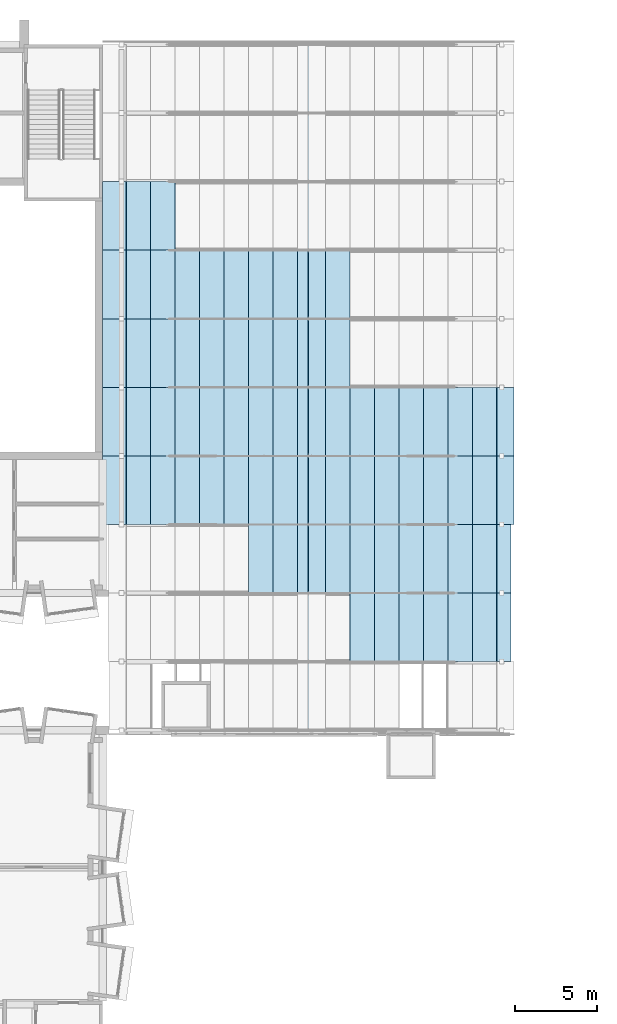
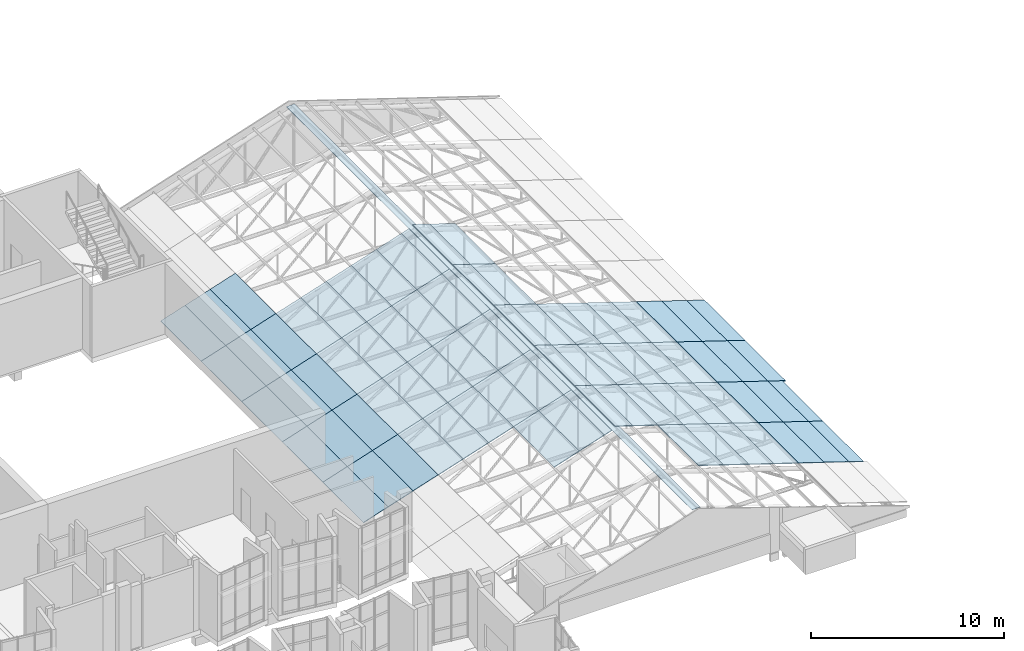
# One storey, part 72 of 95: 81 plates.
"""IFC4 building model written with IfcOpenShell, lengths in metres."""

from ifc_helpers import new_model, si_unit, direction, frame, origin, origin_2d, place, context, subcontext, project, spatial, polyline, rectangle, outline, extrude, material, layer, layer_set, type_object, element, save


model = new_model("IFC4")

# Units and contexts
model_context = context("Model", 3, precision=1e-05, world=origin(), true_north=direction((0.0, 1.0)))
body_context = subcontext(model_context, "Body", "Model", "MODEL_VIEW")
ifc_project = project(units=[si_unit("LENGTHUNIT", "METRE"), si_unit("AREAUNIT", "SQUARE_METRE"), si_unit("VOLUMEUNIT", "CUBIC_METRE"), si_unit("PLANEANGLEUNIT", "RADIAN"), si_unit("MASSUNIT", "GRAM", prefix="KILO")], contexts=[model_context])

# Site, building, storey
site_placement = place(None, origin())
site = spatial("IfcSite", under=ifc_project, at=site_placement, CompositionType="ELEMENT")
building_placement = place(site_placement, origin())
building = spatial("IfcBuilding", under=site, at=building_placement, Name="Kiln Court Media Centre", CompositionType="ELEMENT")
storey_placement = place(building_placement, frame((0.0, 0.0, 24.60009765625)))
storey = spatial("IfcBuildingStorey", under=building, at=storey_placement, Name="L05", CompositionType="ELEMENT", Elevation=24.60009765625)

# Plates
ifc_material_1 = material(Name="Aluminium 6063-T6", Category="aluminium")
ifc_layer_1 = layer(ifc_material_1, 0.02001953125)
ifc_layer_set_1 = layer_set([ifc_layer_1], Name="Aluminium ridge capping plate 20")
plate_type_1 = type_object("IfcPlateType", Name="Aluminium ridge capping plate 20", PredefinedType="SHEET", material=ifc_layer_set_1)
plate_1_placement = place(storey_placement, frame((46.199951171875, 46.199951171875, 4.04931640625), z_axis=(0.0, 0.0, 1.0), x_axis=(1.0, 0.0, 0.0)))
element("IfcPlate", 1, at=plate_1_placement, inside=storey, type_object=plate_type_1, Name="Foyer ridge capping", PredefinedType="SHEET", context=body_context, shape_type="SweptSolid", body=[
    extrude(rectangle(XDim=0.5, YDim=42.0, at=origin_2d()), origin(), (0.0, 0.0, 1.0), 0.02001953125),
])
ifc_material_2 = material(Name="Laminated low-E glazing", Category="glass")
ifc_layer_2 = layer(ifc_material_2, 0.0439453125)
ifc_layer_set_2 = layer_set([ifc_layer_2], Name="Laminated low-E skylight glazing 44")
plate_type_2 = type_object("IfcPlateType", Name="Laminated low-E skylight glazing 44", PredefinedType="USERDEFINED", material=ifc_layer_set_2)
plate_2_placement = place(storey_placement, frame((58.613525390625, 33.60009765625, 0.1484375), z_axis=(0.308945988016, 0.0, 0.951079584729), x_axis=(-0.951079584729, 0.0, 0.308945988016)))
element("IfcPlate", 2, at=plate_2_placement, inside=storey, type_object=plate_type_2, Name="Foyer roof glazing east 1.2", ObjectType="SKYLIGHT GLAZING", PredefinedType="USERDEFINED", context=body_context, shape_type="SweptSolid", body=[
    extrude(outline(polyline([(0.0, 0.0), (0.9064021147298428, 0.0), (0.9064021147298428, 4.2001953125), (0.0, 4.2001953125), (0.0, 0.0)])), origin(), (0.0, 0.0, -1.0), 0.0439453125),
])
plate_3_placement = place(storey_placement, frame((58.613525390625, 37.800048828125, 0.1484375), z_axis=(0.308945988016, 0.0, 0.951079584729), x_axis=(-0.951079584729, 0.0, 0.308945988016)))
element("IfcPlate", 3, at=plate_3_placement, inside=storey, type_object=plate_type_2, Name="Foyer roof glazing east 1.3", ObjectType="SKYLIGHT GLAZING", PredefinedType="USERDEFINED", context=body_context, shape_type="SweptSolid", body=[
    extrude(outline(polyline([(0.0, 0.0), (0.9064021147298428, 0.0), (0.9064021147298428, 4.199951171875), (0.0, 4.199951171875), (0.0, 0.0)])), origin(), (0.0, 0.0, -1.0), 0.0439453125),
])
for number, where, z_axis, x_axis, name in (
    (4, (58.813720703125, 42.0, 0.08349609375), (0.308873525372, 0.0, 0.951103120237), (-0.951103120237, 0.0, 0.308873525372), "Foyer roof glazing east 1.4"),
    (5, (58.813720703125, 46.199951171875, 0.08349609375), (0.308873525372, 0.0, 0.951103120237), (-0.951103120237, 0.0, 0.308873525372), "Foyer roof glazing east 1.5"),
):
    element("IfcPlate", number, at=place(storey_placement, frame(where, z_axis=z_axis, x_axis=x_axis)), inside=storey, type_object=plate_type_2, Name=name, ObjectType="SKYLIGHT GLAZING", PredefinedType="USERDEFINED", context=body_context, shape_type="SweptSolid", body=[
        extrude(outline(polyline([(0.0, 0.0), (1.1168671795657157, 0.0), (1.1168671795657157, 4.199951171875), (0.0, 4.199951171875), (0.0, 0.0)])), origin(), (0.0, 0.0, -1.0), 0.0439453125),
    ])
plate_4_placement = place(storey_placement, frame((57.75146484375, 33.60009765625, 0.428466796875), z_axis=(0.309114072515, 0.0, 0.951024968218), x_axis=(-0.951024968218, 0.0, 0.309114072515)))
element("IfcPlate", 6, at=plate_4_placement, inside=storey, type_object=plate_type_2, Name="Foyer roof glazing east 2.2", ObjectType="SKYLIGHT GLAZING", PredefinedType="USERDEFINED", context=body_context, shape_type="SweptSolid", body=[
    extrude(outline(polyline([(0.0, 0.0), (1.577245656137959, 0.0), (1.577245656137959, 4.200195312500001), (0.0, 4.200195312500001), (0.0, 0.0)])), origin(), (0.0, 0.0, -1.0), 0.0439453125),
])
for number, where, z_axis, x_axis, name in (
    (7, (57.75146484375, 37.800048828125, 0.428466796875), (0.309114072515, 0.0, 0.951024968218), (-0.951024968218, 0.0, 0.309114072515), "Foyer roof glazing east 2.3"),
    (8, (57.75146484375, 42.0, 0.428466796875), (0.309114072515, 0.0, 0.951024968218), (-0.951024968218, 0.0, 0.309114072515), "Foyer roof glazing east 2.4"),
    (9, (57.75146484375, 46.199951171875, 0.428466796875), (0.309114072515, 0.0, 0.951024968218), (-0.951024968218, 0.0, 0.309114072515), "Foyer roof glazing east 2.5"),
):
    element("IfcPlate", number, at=place(storey_placement, frame(where, z_axis=z_axis, x_axis=x_axis)), inside=storey, type_object=plate_type_2, Name=name, ObjectType="SKYLIGHT GLAZING", PredefinedType="USERDEFINED", context=body_context, shape_type="SweptSolid", body=[
        extrude(outline(polyline([(0.0, 0.0), (1.577245656137959, 0.0), (1.577245656137959, 4.199951171875001), (0.0, 4.199951171875001), (0.0, 0.0)])), origin(), (0.0, 0.0, -1.0), 0.0439453125),
    ])
plate_5_placement = place(storey_placement, frame((56.25146484375, 33.60009765625, 0.916015625), z_axis=(0.308974063591, 0.0, 0.951070464281), x_axis=(-0.951070464281, 0.0, 0.308974063591)))
element("IfcPlate", 10, at=plate_5_placement, inside=storey, type_object=plate_type_2, Name="Foyer roof glazing east 3.2", ObjectType="SKYLIGHT GLAZING", PredefinedType="USERDEFINED", context=body_context, shape_type="SweptSolid", body=[
    extrude(outline(polyline([(0.0, 0.0), (1.5771702059256234, 0.0), (1.5771702059256234, 4.2001953125), (0.0, 4.2001953125), (0.0, 0.0)])), origin(), (0.0, 0.0, -1.0), 0.0439453125),
])
for number, where, z_axis, x_axis, name in (
    (11, (56.25146484375, 37.800048828125, 0.916015625), (0.308974063591, 0.0, 0.951070464281), (-0.951070464281, 0.0, 0.308974063591), "Foyer roof glazing east 3.3"),
    (12, (56.25146484375, 42.0, 0.916015625), (0.308974063591, 0.0, 0.951070464281), (-0.951070464281, 0.0, 0.308974063591), "Foyer roof glazing east 3.4"),
    (13, (56.25146484375, 46.199951171875, 0.916015625), (0.308974063591, 0.0, 0.951070464281), (-0.951070464281, 0.0, 0.308974063591), "Foyer roof glazing east 3.5"),
):
    element("IfcPlate", number, at=place(storey_placement, frame(where, z_axis=z_axis, x_axis=x_axis)), inside=storey, type_object=plate_type_2, Name=name, ObjectType="SKYLIGHT GLAZING", PredefinedType="USERDEFINED", context=body_context, shape_type="SweptSolid", body=[
        extrude(outline(polyline([(0.0, 0.0), (1.5771702059256232, 0.0), (1.5771702059256232, 4.199951171875), (0.0, 4.199951171875), (0.0, 0.0)])), origin(), (0.0, 0.0, -1.0), 0.0439453125),
    ])
plate_6_placement = place(storey_placement, frame((54.75146484375, 33.60009765625, 1.4033203125), z_axis=(0.308974063591, 0.0, 0.951070464281), x_axis=(-0.951070464281, 0.0, 0.308974063591)))
element("IfcPlate", 14, at=plate_6_placement, inside=storey, type_object=plate_type_2, Name="Foyer roof glazing east 4.2", ObjectType="SKYLIGHT GLAZING", PredefinedType="USERDEFINED", context=body_context, shape_type="SweptSolid", body=[
    extrude(outline(polyline([(0.0, 0.0), (1.5771702059256234, 0.0), (1.5771702059256234, 4.2001953125), (0.0, 4.2001953125), (0.0, 0.0)])), origin(), (0.0, 0.0, -1.0), 0.0439453125),
])
for number, where, z_axis, x_axis, name in (
    (15, (54.75146484375, 37.800048828125, 1.4033203125), (0.308974063591, 0.0, 0.951070464281), (-0.951070464281, 0.0, 0.308974063591), "Foyer roof glazing east 4.3"),
    (16, (54.75146484375, 42.0, 1.4033203125), (0.308974063591, 0.0, 0.951070464281), (-0.951070464281, 0.0, 0.308974063591), "Foyer roof glazing east 4.4"),
    (17, (54.75146484375, 46.199951171875, 1.4033203125), (0.308974063591, 0.0, 0.951070464281), (-0.951070464281, 0.0, 0.308974063591), "Foyer roof glazing east 4.5"),
):
    element("IfcPlate", number, at=place(storey_placement, frame(where, z_axis=z_axis, x_axis=x_axis)), inside=storey, type_object=plate_type_2, Name=name, ObjectType="SKYLIGHT GLAZING", PredefinedType="USERDEFINED", context=body_context, shape_type="SweptSolid", body=[
        extrude(outline(polyline([(0.0, 0.0), (1.5771702059256232, 0.0), (1.5771702059256232, 4.199951171875), (0.0, 4.199951171875), (0.0, 0.0)])), origin(), (0.0, 0.0, -1.0), 0.0439453125),
    ])
plate_7_placement = place(storey_placement, frame((53.25146484375, 33.60009765625, 1.890625), z_axis=(0.309114072515, 0.0, 0.951024968218), x_axis=(-0.951024968218, 0.0, 0.309114072515)))
element("IfcPlate", 18, at=plate_7_placement, inside=storey, type_object=plate_type_2, Name="Foyer roof glazing east 5.2", ObjectType="SKYLIGHT GLAZING", PredefinedType="USERDEFINED", context=body_context, shape_type="SweptSolid", body=[
    extrude(outline(polyline([(0.0, 0.0), (1.577245656137959, 0.0), (1.577245656137959, 4.200195312500001), (0.0, 4.200195312500001), (0.0, 0.0)])), origin(), (0.0, 0.0, -1.0), 0.0439453125),
])
for number, where, z_axis, x_axis, name in (
    (19, (53.25146484375, 37.800048828125, 1.890625), (0.309114072515, 0.0, 0.951024968218), (-0.951024968218, 0.0, 0.309114072515), "Foyer roof glazing east 5.3"),
    (20, (53.25146484375, 42.0, 1.890625), (0.309114072515, 0.0, 0.951024968218), (-0.951024968218, 0.0, 0.309114072515), "Foyer roof glazing east 5.4"),
    (21, (53.25146484375, 46.199951171875, 1.890625), (0.309114072515, 0.0, 0.951024968218), (-0.951024968218, 0.0, 0.309114072515), "Foyer roof glazing east 5.5"),
):
    element("IfcPlate", number, at=place(storey_placement, frame(where, z_axis=z_axis, x_axis=x_axis)), inside=storey, type_object=plate_type_2, Name=name, ObjectType="SKYLIGHT GLAZING", PredefinedType="USERDEFINED", context=body_context, shape_type="SweptSolid", body=[
        extrude(outline(polyline([(0.0, 0.0), (1.577245656137959, 0.0), (1.577245656137959, 4.199951171875001), (0.0, 4.199951171875001), (0.0, 0.0)])), origin(), (0.0, 0.0, -1.0), 0.0439453125),
    ])
plate_8_placement = place(storey_placement, frame((51.75146484375, 33.60009765625, 2.378173828125), z_axis=(0.308974063591, 0.0, 0.951070464281), x_axis=(-0.951070464281, 0.0, 0.308974063591)))
element("IfcPlate", 22, at=plate_8_placement, inside=storey, type_object=plate_type_2, Name="Foyer roof glazing east 6.2", ObjectType="SKYLIGHT GLAZING", PredefinedType="USERDEFINED", context=body_context, shape_type="SweptSolid", body=[
    extrude(outline(polyline([(0.0, 0.0), (1.5771702059256234, 0.0), (1.5771702059256234, 4.2001953125), (0.0, 4.2001953125), (0.0, 0.0)])), origin(), (0.0, 0.0, -1.0), 0.0439453125),
])
for number, where, z_axis, x_axis, name in (
    (23, (51.75146484375, 37.800048828125, 2.378173828125), (0.308974063591, 0.0, 0.951070464281), (-0.951070464281, 0.0, 0.308974063591), "Foyer roof glazing east 6.3"),
    (24, (51.75146484375, 42.0, 2.378173828125), (0.308974063591, 0.0, 0.951070464281), (-0.951070464281, 0.0, 0.308974063591), "Foyer roof glazing east 6.4"),
    (25, (51.75146484375, 46.199951171875, 2.378173828125), (0.308974063591, 0.0, 0.951070464281), (-0.951070464281, 0.0, 0.308974063591), "Foyer roof glazing east 6.5"),
):
    element("IfcPlate", number, at=place(storey_placement, frame(where, z_axis=z_axis, x_axis=x_axis)), inside=storey, type_object=plate_type_2, Name=name, ObjectType="SKYLIGHT GLAZING", PredefinedType="USERDEFINED", context=body_context, shape_type="SweptSolid", body=[
        extrude(outline(polyline([(0.0, 0.0), (1.5771702059256232, 0.0), (1.5771702059256232, 4.199951171875), (0.0, 4.199951171875), (0.0, 0.0)])), origin(), (0.0, 0.0, -1.0), 0.0439453125),
    ])
plate_9_placement = place(storey_placement, frame((50.25146484375, 33.60009765625, 2.865478515625), z_axis=(0.308974063591, 0.0, 0.951070464281), x_axis=(-0.951070464281, 0.0, 0.308974063591)))
element("IfcPlate", 26, at=plate_9_placement, inside=storey, type_object=plate_type_2, Name="Foyer roof glazing east 7.2", ObjectType="SKYLIGHT GLAZING", PredefinedType="USERDEFINED", context=body_context, shape_type="SweptSolid", body=[
    extrude(outline(polyline([(0.0, 0.0), (1.5771702059256234, 0.0), (1.5771702059256234, 4.2001953125), (0.0, 4.2001953125), (0.0, 0.0)])), origin(), (0.0, 0.0, -1.0), 0.0439453125),
])
for number, where, z_axis, x_axis, name in (
    (27, (50.25146484375, 37.800048828125, 2.865478515625), (0.308974063591, 0.0, 0.951070464281), (-0.951070464281, 0.0, 0.308974063591), "Foyer roof glazing east 7.3"),
    (28, (50.25146484375, 42.0, 2.865478515625), (0.308974063591, 0.0, 0.951070464281), (-0.951070464281, 0.0, 0.308974063591), "Foyer roof glazing east 7.4"),
    (29, (50.25146484375, 46.199951171875, 2.865478515625), (0.308974063591, 0.0, 0.951070464281), (-0.951070464281, 0.0, 0.308974063591), "Foyer roof glazing east 7.5"),
    (30, (48.75146484375, 37.800048828125, 3.352783203125), (0.308974063591, 0.0, 0.951070464281), (-0.951070464281, 0.0, 0.308974063591), "Foyer roof glazing east 8.3"),
    (31, (48.75146484375, 42.0, 3.352783203125), (0.308974063591, 0.0, 0.951070464281), (-0.951070464281, 0.0, 0.308974063591), "Foyer roof glazing east 8.4"),
    (32, (48.75146484375, 46.199951171875, 3.352783203125), (0.308974063591, 0.0, 0.951070464281), (-0.951070464281, 0.0, 0.308974063591), "Foyer roof glazing east 8.5"),
    (33, (48.75146484375, 50.39990234375, 3.352783203125), (0.308974063591, 0.0, 0.951070464281), (-0.951070464281, 0.0, 0.308974063591), "Foyer roof glazing east 8.6"),
):
    element("IfcPlate", number, at=place(storey_placement, frame(where, z_axis=z_axis, x_axis=x_axis)), inside=storey, type_object=plate_type_2, Name=name, ObjectType="SKYLIGHT GLAZING", PredefinedType="USERDEFINED", context=body_context, shape_type="SweptSolid", body=[
        extrude(outline(polyline([(0.0, 0.0), (1.5771702059256232, 0.0), (1.5771702059256232, 4.199951171875), (0.0, 4.199951171875), (0.0, 0.0)])), origin(), (0.0, 0.0, -1.0), 0.0439453125),
    ])
plate_10_placement = place(storey_placement, frame((48.75146484375, 54.60009765625, 3.352783203125), z_axis=(0.308974063591, 0.0, 0.951070464281), x_axis=(-0.951070464281, 0.0, 0.308974063591)))
element("IfcPlate", 34, at=plate_10_placement, inside=storey, type_object=plate_type_2, Name="Foyer roof glazing east 8.7", ObjectType="SKYLIGHT GLAZING", PredefinedType="USERDEFINED", context=body_context, shape_type="SweptSolid", body=[
    extrude(outline(polyline([(0.0, 0.0), (1.5771702059256234, 0.0), (1.5771702059256234, 4.2001953125), (0.0, 4.2001953125), (0.0, 0.0)])), origin(), (0.0, 0.0, -1.0), 0.0439453125),
])
for number, where, z_axis, x_axis, name in (
    (35, (47.25146484375, 37.800048828125, 3.840087890625), (0.309009902499, 0.0, 0.951058820556), (-0.951058820556, 0.0, 0.309009902499), "Foyer roof glazing east 9.3"),
    (36, (47.25146484375, 42.0, 3.840087890625), (0.309009902499, 0.0, 0.951058820556), (-0.951058820556, 0.0, 0.309009902499), "Foyer roof glazing east 9.4"),
    (37, (47.25146484375, 46.199951171875, 3.840087890625), (0.309009902499, 0.0, 0.951058820556), (-0.951058820556, 0.0, 0.309009902499), "Foyer roof glazing east 9.5"),
    (38, (47.25146484375, 50.39990234375, 3.840087890625), (0.309009902499, 0.0, 0.951058820556), (-0.951058820556, 0.0, 0.309009902499), "Foyer roof glazing east 9.6"),
):
    element("IfcPlate", number, at=place(storey_placement, frame(where, z_axis=z_axis, x_axis=x_axis)), inside=storey, type_object=plate_type_2, Name=name, ObjectType="SKYLIGHT GLAZING", PredefinedType="USERDEFINED", context=body_context, shape_type="SweptSolid", body=[
        extrude(outline(polyline([(0.0, 0.0), (1.0871415358627208, 0.0), (1.0871415358627208, 4.199951171875), (0.0, 4.199951171875), (0.0, 0.0)])), origin(), (0.0, 0.0, -1.0), 0.0439453125),
    ])
plate_11_placement = place(storey_placement, frame((47.25146484375, 54.60009765625, 3.840087890625), z_axis=(0.309009902499, 0.0, 0.951058820556), x_axis=(-0.951058820556, 0.0, 0.309009902499)))
element("IfcPlate", 39, at=plate_11_placement, inside=storey, type_object=plate_type_2, Name="Foyer roof glazing east 9.7", ObjectType="SKYLIGHT GLAZING", PredefinedType="USERDEFINED", context=body_context, shape_type="SweptSolid", body=[
    extrude(outline(polyline([(0.0, 0.0), (1.0871415358627208, 0.0), (1.0871415358627208, 4.200195312499999), (0.0, 4.200195312499999), (0.0, 0.0)])), origin(), (0.0, 0.0, -1.0), 0.0439453125),
])
for number, where, z_axis, x_axis, name in (
    (40, (33.58642578125, 37.800048828125, -0.04638671875), (-0.308881383419, 0.0, 0.951100568277), (0.951100568277, 0.0, 0.308881383419), "Foyer roof glazing west 1.4"),
    (41, (33.58642578125, 42.0, -0.04638671875), (-0.308881383419, 0.0, 0.951100568277), (0.951100568277, 0.0, 0.308881383419), "Foyer roof glazing west 1.5"),
    (42, (33.58642578125, 46.199951171875, -0.04638671875), (-0.308881383419, 0.0, 0.951100568277), (0.951100568277, 0.0, 0.308881383419), "Foyer roof glazing west 1.6"),
):
    element("IfcPlate", number, at=place(storey_placement, frame(where, z_axis=z_axis, x_axis=x_axis)), inside=storey, type_object=plate_type_2, Name=name, ObjectType="SKYLIGHT GLAZING", PredefinedType="USERDEFINED", context=body_context, shape_type="SweptSolid", body=[
        extrude(outline(polyline([(0.0, 0.0), (1.5373329087309462, 0.0), (1.5373329087309462, 4.199951171875001), (0.0, 4.199951171875001), (0.0, 0.0)])), origin(), (0.0, 0.0, -1.0), 0.0439453125),
    ])
plate_12_placement = place(storey_placement, frame((33.58642578125, 50.39990234375, -0.04638671875), z_axis=(-0.308881383419, 0.0, 0.951100568277), x_axis=(0.951100568277, 0.0, 0.308881383419)))
element("IfcPlate", 43, at=plate_12_placement, inside=storey, type_object=plate_type_2, Name="Foyer roof glazing west 1.7", ObjectType="SKYLIGHT GLAZING", PredefinedType="USERDEFINED", context=body_context, shape_type="SweptSolid", body=[
    extrude(outline(polyline([(0.0, 0.0), (1.5373329087309462, 0.0), (1.5373329087309462, 4.2001953125), (0.0, 4.2001953125), (0.0, 0.0)])), origin(), (0.0, 0.0, -1.0), 0.0439453125),
])
plate_13_placement = place(storey_placement, frame((33.58642578125, 54.60009765625, -0.04638671875), z_axis=(-0.308881383419, 0.0, 0.951100568277), x_axis=(0.951100568277, 0.0, 0.308881383419)))
element("IfcPlate", 44, at=plate_13_placement, inside=storey, type_object=plate_type_2, Name="Foyer roof glazing west 1.8", ObjectType="SKYLIGHT GLAZING", PredefinedType="USERDEFINED", context=body_context, shape_type="SweptSolid", body=[
    extrude(outline(polyline([(0.0, 0.0), (1.5373329087309462, 0.0), (1.5373329087309462, 4.199951171875001), (0.0, 4.199951171875001), (0.0, 0.0)])), origin(), (0.0, 0.0, -1.0), 0.0439453125),
])
for number, where, z_axis, x_axis, name in (
    (45, (35.048583984375, 37.800048828125, 0.428466796875), (-0.309114072515, 0.0, 0.951024968218), (0.951024968218, 0.0, 0.309114072515), "Foyer roof glazing west 2.4"),
    (46, (35.048583984375, 42.0, 0.428466796875), (-0.309114072515, 0.0, 0.951024968218), (0.951024968218, 0.0, 0.309114072515), "Foyer roof glazing west 2.5"),
    (47, (35.048583984375, 46.199951171875, 0.428466796875), (-0.309114072515, 0.0, 0.951024968218), (0.951024968218, 0.0, 0.309114072515), "Foyer roof glazing west 2.6"),
):
    element("IfcPlate", number, at=place(storey_placement, frame(where, z_axis=z_axis, x_axis=x_axis)), inside=storey, type_object=plate_type_2, Name=name, ObjectType="SKYLIGHT GLAZING", PredefinedType="USERDEFINED", context=body_context, shape_type="SweptSolid", body=[
        extrude(outline(polyline([(0.0, 0.0), (1.577245656137959, 0.0), (1.577245656137959, 4.199951171875001), (0.0, 4.199951171875001), (0.0, 0.0)])), origin(), (0.0, 0.0, -1.0), 0.0439453125),
    ])
plate_14_placement = place(storey_placement, frame((35.048583984375, 50.39990234375, 0.428466796875), z_axis=(-0.309114072515, 0.0, 0.951024968218), x_axis=(0.951024968218, 0.0, 0.309114072515)))
element("IfcPlate", 48, at=plate_14_placement, inside=storey, type_object=plate_type_2, Name="Foyer roof glazing west 2.7", ObjectType="SKYLIGHT GLAZING", PredefinedType="USERDEFINED", context=body_context, shape_type="SweptSolid", body=[
    extrude(outline(polyline([(0.0, 0.0), (1.577245656137959, 0.0), (1.577245656137959, 4.200195312500001), (0.0, 4.200195312500001), (0.0, 0.0)])), origin(), (0.0, 0.0, -1.0), 0.0439453125),
])
plate_15_placement = place(storey_placement, frame((35.048583984375, 54.60009765625, 0.428466796875), z_axis=(-0.309114072515, 0.0, 0.951024968218), x_axis=(0.951024968218, 0.0, 0.309114072515)))
element("IfcPlate", 49, at=plate_15_placement, inside=storey, type_object=plate_type_2, Name="Foyer roof glazing west 2.8", ObjectType="SKYLIGHT GLAZING", PredefinedType="USERDEFINED", context=body_context, shape_type="SweptSolid", body=[
    extrude(outline(polyline([(0.0, 0.0), (1.577245656137959, 0.0), (1.577245656137959, 4.199951171875001), (0.0, 4.199951171875001), (0.0, 0.0)])), origin(), (0.0, 0.0, -1.0), 0.0439453125),
])
for number, where, z_axis, x_axis, name in (
    (50, (36.548583984375, 37.800048828125, 0.916015625), (-0.308974063591, 0.0, 0.951070464281), (0.951070464281, 0.0, 0.308974063591), "Foyer roof glazing west 3.4"),
    (51, (36.548583984375, 42.0, 0.916015625), (-0.308974063591, 0.0, 0.951070464281), (0.951070464281, 0.0, 0.308974063591), "Foyer roof glazing west 3.5"),
    (52, (36.548583984375, 46.199951171875, 0.916015625), (-0.308974063591, 0.0, 0.951070464281), (0.951070464281, 0.0, 0.308974063591), "Foyer roof glazing west 3.6"),
):
    element("IfcPlate", number, at=place(storey_placement, frame(where, z_axis=z_axis, x_axis=x_axis)), inside=storey, type_object=plate_type_2, Name=name, ObjectType="SKYLIGHT GLAZING", PredefinedType="USERDEFINED", context=body_context, shape_type="SweptSolid", body=[
        extrude(outline(polyline([(0.0, 0.0), (1.5771702059256232, 0.0), (1.5771702059256232, 4.199951171875), (0.0, 4.199951171875), (0.0, 0.0)])), origin(), (0.0, 0.0, -1.0), 0.0439453125),
    ])
plate_16_placement = place(storey_placement, frame((36.548583984375, 50.39990234375, 0.916015625), z_axis=(-0.308974063591, 0.0, 0.951070464281), x_axis=(0.951070464281, 0.0, 0.308974063591)))
element("IfcPlate", 53, at=plate_16_placement, inside=storey, type_object=plate_type_2, Name="Foyer roof glazing west 3.7", ObjectType="SKYLIGHT GLAZING", PredefinedType="USERDEFINED", context=body_context, shape_type="SweptSolid", body=[
    extrude(outline(polyline([(0.0, 0.0), (1.5771702059256234, 0.0), (1.5771702059256234, 4.2001953125), (0.0, 4.2001953125), (0.0, 0.0)])), origin(), (0.0, 0.0, -1.0), 0.0439453125),
])
for number, where, z_axis, x_axis, name in (
    (54, (36.548583984375, 54.60009765625, 0.916015625), (-0.308974063591, 0.0, 0.951070464281), (0.951070464281, 0.0, 0.308974063591), "Foyer roof glazing west 3.8"),
    (55, (38.048583984375, 37.800048828125, 1.4033203125), (-0.308974063591, 0.0, 0.951070464281), (0.951070464281, 0.0, 0.308974063591), "Foyer roof glazing west 4.4"),
    (56, (38.048583984375, 42.0, 1.4033203125), (-0.308974063591, 0.0, 0.951070464281), (0.951070464281, 0.0, 0.308974063591), "Foyer roof glazing west 4.5"),
    (57, (38.048583984375, 46.199951171875, 1.4033203125), (-0.308974063591, 0.0, 0.951070464281), (0.951070464281, 0.0, 0.308974063591), "Foyer roof glazing west 4.6"),
):
    element("IfcPlate", number, at=place(storey_placement, frame(where, z_axis=z_axis, x_axis=x_axis)), inside=storey, type_object=plate_type_2, Name=name, ObjectType="SKYLIGHT GLAZING", PredefinedType="USERDEFINED", context=body_context, shape_type="SweptSolid", body=[
        extrude(outline(polyline([(0.0, 0.0), (1.5771702059256232, 0.0), (1.5771702059256232, 4.199951171875), (0.0, 4.199951171875), (0.0, 0.0)])), origin(), (0.0, 0.0, -1.0), 0.0439453125),
    ])
plate_17_placement = place(storey_placement, frame((38.048583984375, 50.39990234375, 1.4033203125), z_axis=(-0.308974063591, 0.0, 0.951070464281), x_axis=(0.951070464281, 0.0, 0.308974063591)))
element("IfcPlate", 58, at=plate_17_placement, inside=storey, type_object=plate_type_2, Name="Foyer roof glazing west 4.7", ObjectType="SKYLIGHT GLAZING", PredefinedType="USERDEFINED", context=body_context, shape_type="SweptSolid", body=[
    extrude(outline(polyline([(0.0, 0.0), (1.5771702059256234, 0.0), (1.5771702059256234, 4.2001953125), (0.0, 4.2001953125), (0.0, 0.0)])), origin(), (0.0, 0.0, -1.0), 0.0439453125),
])
for number, where, z_axis, x_axis, name in (
    (59, (39.548583984375, 37.800048828125, 1.890625), (-0.309114072515, 0.0, 0.951024968218), (0.951024968218, 0.0, 0.309114072515), "Foyer roof glazing west 5.4"),
    (60, (39.548583984375, 42.0, 1.890625), (-0.309114072515, 0.0, 0.951024968218), (0.951024968218, 0.0, 0.309114072515), "Foyer roof glazing west 5.5"),
    (61, (39.548583984375, 46.199951171875, 1.890625), (-0.309114072515, 0.0, 0.951024968218), (0.951024968218, 0.0, 0.309114072515), "Foyer roof glazing west 5.6"),
):
    element("IfcPlate", number, at=place(storey_placement, frame(where, z_axis=z_axis, x_axis=x_axis)), inside=storey, type_object=plate_type_2, Name=name, ObjectType="SKYLIGHT GLAZING", PredefinedType="USERDEFINED", context=body_context, shape_type="SweptSolid", body=[
        extrude(outline(polyline([(0.0, 0.0), (1.577245656137959, 0.0), (1.577245656137959, 4.199951171875001), (0.0, 4.199951171875001), (0.0, 0.0)])), origin(), (0.0, 0.0, -1.0), 0.0439453125),
    ])
plate_18_placement = place(storey_placement, frame((39.548583984375, 50.39990234375, 1.890625), z_axis=(-0.309114072515, 0.0, 0.951024968218), x_axis=(0.951024968218, 0.0, 0.309114072515)))
element("IfcPlate", 62, at=plate_18_placement, inside=storey, type_object=plate_type_2, Name="Foyer roof glazing west 5.7", ObjectType="SKYLIGHT GLAZING", PredefinedType="USERDEFINED", context=body_context, shape_type="SweptSolid", body=[
    extrude(outline(polyline([(0.0, 0.0), (1.577245656137959, 0.0), (1.577245656137959, 4.200195312500001), (0.0, 4.200195312500001), (0.0, 0.0)])), origin(), (0.0, 0.0, -1.0), 0.0439453125),
])
for number, where, z_axis, x_axis, name in (
    (63, (41.048583984375, 37.800048828125, 2.378173828125), (-0.308974063591, 0.0, 0.951070464281), (0.951070464281, 0.0, 0.308974063591), "Foyer roof glazing west 6.4"),
    (64, (41.048583984375, 42.0, 2.378173828125), (-0.308974063591, 0.0, 0.951070464281), (0.951070464281, 0.0, 0.308974063591), "Foyer roof glazing west 6.5"),
    (65, (41.048583984375, 46.199951171875, 2.378173828125), (-0.308974063591, 0.0, 0.951070464281), (0.951070464281, 0.0, 0.308974063591), "Foyer roof glazing west 6.6"),
):
    element("IfcPlate", number, at=place(storey_placement, frame(where, z_axis=z_axis, x_axis=x_axis)), inside=storey, type_object=plate_type_2, Name=name, ObjectType="SKYLIGHT GLAZING", PredefinedType="USERDEFINED", context=body_context, shape_type="SweptSolid", body=[
        extrude(outline(polyline([(0.0, 0.0), (1.5771702059256232, 0.0), (1.5771702059256232, 4.199951171875), (0.0, 4.199951171875), (0.0, 0.0)])), origin(), (0.0, 0.0, -1.0), 0.0439453125),
    ])
plate_19_placement = place(storey_placement, frame((41.048583984375, 50.39990234375, 2.378173828125), z_axis=(-0.308974063591, 0.0, 0.951070464281), x_axis=(0.951070464281, 0.0, 0.308974063591)))
element("IfcPlate", 66, at=plate_19_placement, inside=storey, type_object=plate_type_2, Name="Foyer roof glazing west 6.7", ObjectType="SKYLIGHT GLAZING", PredefinedType="USERDEFINED", context=body_context, shape_type="SweptSolid", body=[
    extrude(outline(polyline([(0.0, 0.0), (1.5771702059256234, 0.0), (1.5771702059256234, 4.2001953125), (0.0, 4.2001953125), (0.0, 0.0)])), origin(), (0.0, 0.0, -1.0), 0.0439453125),
])
for number, where, z_axis, x_axis, name in (
    (67, (42.548583984375, 33.60009765625, 2.865478515625), (-0.308974063591, 0.0, 0.951070464281), (0.951070464281, 0.0, 0.308974063591), "Foyer roof glazing west 7.3"),
    (68, (42.548583984375, 37.800048828125, 2.865478515625), (-0.308974063591, 0.0, 0.951070464281), (0.951070464281, 0.0, 0.308974063591), "Foyer roof glazing west 7.4"),
    (69, (42.548583984375, 42.0, 2.865478515625), (-0.308974063591, 0.0, 0.951070464281), (0.951070464281, 0.0, 0.308974063591), "Foyer roof glazing west 7.5"),
    (70, (42.548583984375, 46.199951171875, 2.865478515625), (-0.308974063591, 0.0, 0.951070464281), (0.951070464281, 0.0, 0.308974063591), "Foyer roof glazing west 7.6"),
):
    element("IfcPlate", number, at=place(storey_placement, frame(where, z_axis=z_axis, x_axis=x_axis)), inside=storey, type_object=plate_type_2, Name=name, ObjectType="SKYLIGHT GLAZING", PredefinedType="USERDEFINED", context=body_context, shape_type="SweptSolid", body=[
        extrude(outline(polyline([(0.0, 0.0), (1.5771702059256232, 0.0), (1.5771702059256232, 4.199951171875), (0.0, 4.199951171875), (0.0, 0.0)])), origin(), (0.0, 0.0, -1.0), 0.0439453125),
    ])
plate_20_placement = place(storey_placement, frame((42.548583984375, 50.39990234375, 2.865478515625), z_axis=(-0.308974063591, 0.0, 0.951070464281), x_axis=(0.951070464281, 0.0, 0.308974063591)))
element("IfcPlate", 71, at=plate_20_placement, inside=storey, type_object=plate_type_2, Name="Foyer roof glazing west 7.7", ObjectType="SKYLIGHT GLAZING", PredefinedType="USERDEFINED", context=body_context, shape_type="SweptSolid", body=[
    extrude(outline(polyline([(0.0, 0.0), (1.5771702059256234, 0.0), (1.5771702059256234, 4.2001953125), (0.0, 4.2001953125), (0.0, 0.0)])), origin(), (0.0, 0.0, -1.0), 0.0439453125),
])
for number, where, z_axis, x_axis, name in (
    (72, (44.048583984375, 33.60009765625, 3.352783203125), (-0.308974063591, 0.0, 0.951070464281), (0.951070464281, 0.0, 0.308974063591), "Foyer roof glazing west 8.3"),
    (73, (44.048583984375, 37.800048828125, 3.352783203125), (-0.308974063591, 0.0, 0.951070464281), (0.951070464281, 0.0, 0.308974063591), "Foyer roof glazing west 8.4"),
    (74, (44.048583984375, 42.0, 3.352783203125), (-0.308974063591, 0.0, 0.951070464281), (0.951070464281, 0.0, 0.308974063591), "Foyer roof glazing west 8.5"),
    (75, (44.048583984375, 46.199951171875, 3.352783203125), (-0.308974063591, 0.0, 0.951070464281), (0.951070464281, 0.0, 0.308974063591), "Foyer roof glazing west 8.6"),
):
    element("IfcPlate", number, at=place(storey_placement, frame(where, z_axis=z_axis, x_axis=x_axis)), inside=storey, type_object=plate_type_2, Name=name, ObjectType="SKYLIGHT GLAZING", PredefinedType="USERDEFINED", context=body_context, shape_type="SweptSolid", body=[
        extrude(outline(polyline([(0.0, 0.0), (1.5771702059256232, 0.0), (1.5771702059256232, 4.199951171875), (0.0, 4.199951171875), (0.0, 0.0)])), origin(), (0.0, 0.0, -1.0), 0.0439453125),
    ])
plate_21_placement = place(storey_placement, frame((44.048583984375, 50.39990234375, 3.352783203125), z_axis=(-0.308974063591, 0.0, 0.951070464281), x_axis=(0.951070464281, 0.0, 0.308974063591)))
element("IfcPlate", 76, at=plate_21_placement, inside=storey, type_object=plate_type_2, Name="Foyer roof glazing west 8.7", ObjectType="SKYLIGHT GLAZING", PredefinedType="USERDEFINED", context=body_context, shape_type="SweptSolid", body=[
    extrude(outline(polyline([(0.0, 0.0), (1.5771702059256234, 0.0), (1.5771702059256234, 4.2001953125), (0.0, 4.2001953125), (0.0, 0.0)])), origin(), (0.0, 0.0, -1.0), 0.0439453125),
])
for number, where, z_axis, x_axis, name in (
    (77, (45.548583984375, 33.60009765625, 3.840087890625), (-0.309185471485, 0.0, 0.951001758265), (0.951001758265, 0.0, 0.309185471485), "Foyer roof glazing west 9.3"),
    (78, (45.548583984375, 37.800048828125, 3.840087890625), (-0.309185471485, 0.0, 0.951001758265), (0.951001758265, 0.0, 0.309185471485), "Foyer roof glazing west 9.4"),
    (79, (45.548583984375, 42.0, 3.840087890625), (-0.309185471485, 0.0, 0.951001758265), (0.951001758265, 0.0, 0.309185471485), "Foyer roof glazing west 9.5"),
    (80, (45.548583984375, 46.199951171875, 3.840087890625), (-0.309185471485, 0.0, 0.951001758265), (0.951001758265, 0.0, 0.309185471485), "Foyer roof glazing west 9.6"),
):
    element("IfcPlate", number, at=place(storey_placement, frame(where, z_axis=z_axis, x_axis=x_axis)), inside=storey, type_object=plate_type_2, Name=name, ObjectType="SKYLIGHT GLAZING", PredefinedType="USERDEFINED", context=body_context, shape_type="SweptSolid", body=[
        extrude(outline(polyline([(0.0, 0.0), (0.6664436285128335, 0.0), (0.6664436285128335, 4.199951171875), (0.0, 4.199951171875), (0.0, 0.0)])), origin(), (0.0, 0.0, -1.0), 0.0439453125),
    ])
plate_22_placement = place(storey_placement, frame((45.548583984375, 50.39990234375, 3.840087890625), z_axis=(-0.309185471485, 0.0, 0.951001758265), x_axis=(0.951001758265, 0.0, 0.309185471485)))
element("IfcPlate", 81, at=plate_22_placement, inside=storey, type_object=plate_type_2, Name="Foyer roof glazing west 9.7", ObjectType="SKYLIGHT GLAZING", PredefinedType="USERDEFINED", context=body_context, shape_type="SweptSolid", body=[
    extrude(outline(polyline([(0.0, 0.0), (0.6664436285128335, 0.0), (0.6664436285128335, 4.200195312499999), (0.0, 4.200195312499999), (0.0, 0.0)])), origin(), (0.0, 0.0, -1.0), 0.0439453125),
])

save(model, "model.ifc")
